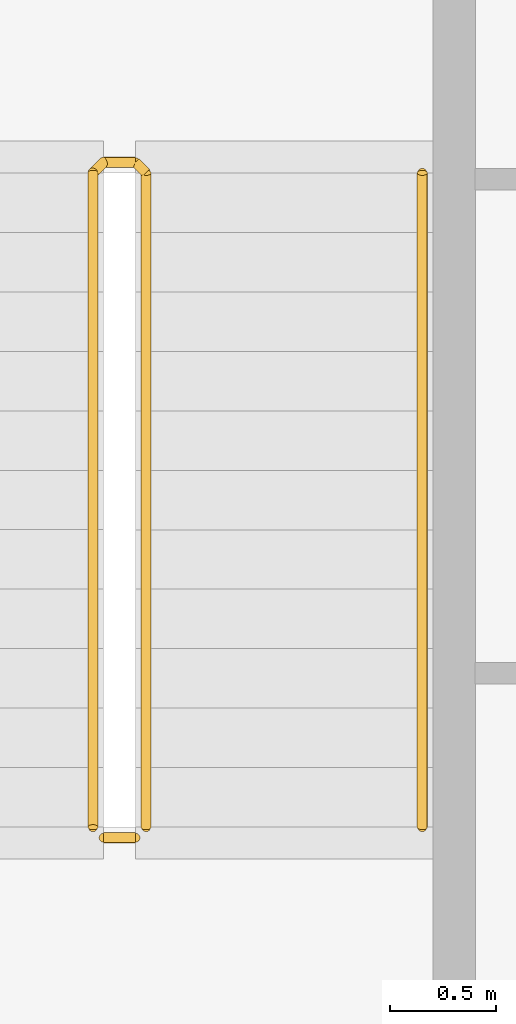
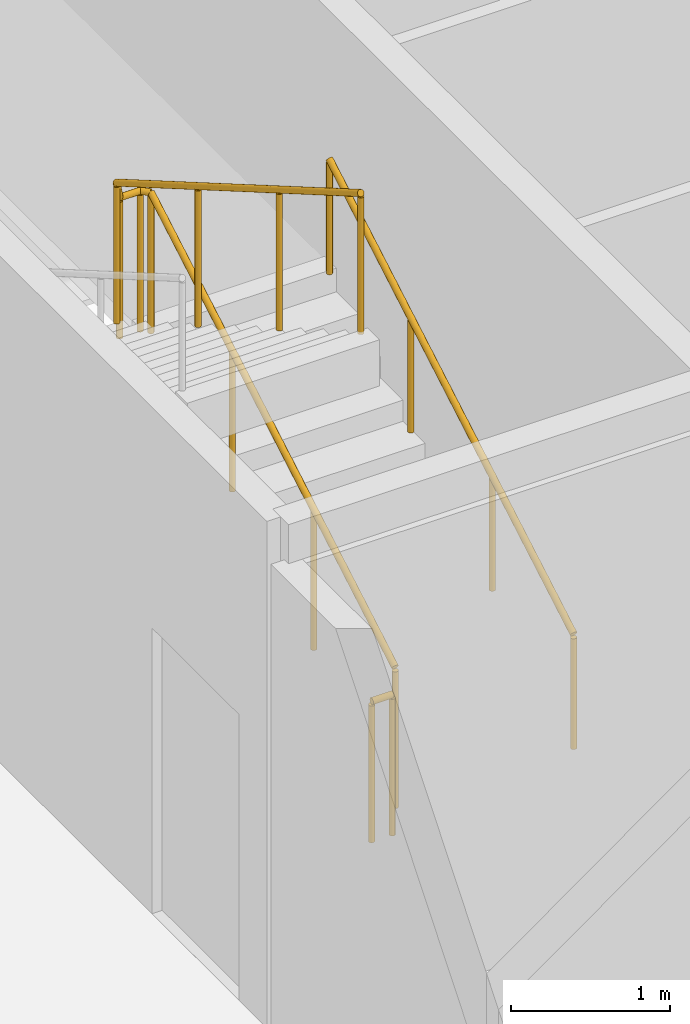
# One storey, part 27 of 28: 3 railings.
"""IFC4 building model written with IfcOpenShell, lengths in metres."""

from ifc_helpers import new_model, si_unit, direction, frame, origin, origin_2d, place, context, subcontext, project, spatial, circle, extrude, material, type_object, element, save


model = new_model("IFC4")

# Units and contexts
model_context = context("Model", 3, precision=1e-05, world=origin(), true_north=direction((0.0, 1.0)))
body_context = subcontext(model_context, "Body", "Model", "MODEL_VIEW")
ifc_project = project(units=[si_unit("LENGTHUNIT", "METRE"), si_unit("AREAUNIT", "SQUARE_METRE"), si_unit("VOLUMEUNIT", "CUBIC_METRE"), si_unit("PLANEANGLEUNIT", "RADIAN"), si_unit("MASSUNIT", "GRAM", prefix="KILO")], contexts=[model_context])

# Site, building, storey
site_placement = place(None, origin())
site = spatial("IfcSite", under=ifc_project, at=site_placement, CompositionType="ELEMENT")
building_placement = place(site_placement, origin())
building = spatial("IfcBuilding", under=site, at=building_placement, Name="Kheshtan School and Residences Tower", CompositionType="ELEMENT")
storey_placement = place(building_placement, frame((0.0, 0.0, 137.0)))
storey = spatial("IfcBuildingStorey", under=building, at=storey_placement, Name="L32", CompositionType="ELEMENT", Elevation=137.0)

# Railings
ifc_material_1 = material(Name="Stainless steel balustrade", Category="steel")
railing_type_1 = type_object("IfcRailingType", Name="Stair guard 1100", PredefinedType="GUARDRAIL", material=ifc_material_1)
railing_1_placement = place(storey_placement, frame((35.0, 80.89990234375, 0.16259765625)))
element("IfcRailing", 1, at=railing_1_placement, inside=storey, type_object=railing_type_1, Name="L32 ST3 stair guard 1", PredefinedType="GUARDRAIL", context=body_context, shape_type="SweptSolid", body=[
    extrude(circle(Radius=0.02392578125, at=origin_2d()), frame((0.0, 0.0, 1.076171875), z_axis=(0.0, 0.864920483161, 0.501908913857), x_axis=(-1.0, 0.0, 0.0)), (0.0, 0.0, 1.0), 3.56103515625),
    extrude(circle(Radius=0.02392578125, at=origin_2d()), frame((0.0, 3.080078125, 2.86328125), z_axis=(-0.707106781187, 0.707106781187, 0.0), x_axis=(-0.707106781187, -0.707106781187, 0.0)), (0.0, 0.0, 1.0), 0.07080078125),
    extrude(circle(Radius=0.02392578125, at=origin_2d()), frame((-0.050048828125, 3.130126953125, 2.86328125), z_axis=(-1.0, 0.0, 0.0), x_axis=(0.0, -1.0, 0.0)), (0.0, 0.0, 1.0), 0.14990234375),
    extrude(circle(Radius=0.02392578125, at=origin_2d()), frame((-0.199951171875, 3.130126953125, 2.86328125), z_axis=(-0.282227285176, -0.282227285176, 0.916894497205), x_axis=(0.707106781187, -0.707106781187, 0.0)), (0.0, 0.0, 1.0), 0.17724609375),
    extrude(circle(Radius=0.02392578125, at=origin_2d()), frame((-0.25, 3.080078125, 3.02587890625), z_axis=(0.0, -0.864920483161, 0.501908913857), x_axis=(1.0, 0.0, 0.0)), (0.0, 0.0, 1.0), 3.56103515625),
    extrude(circle(Radius=0.02099609375, at=origin_2d()), origin(), (0.0, 0.0, 1.0), 1.052001953125),
    extrude(circle(Radius=0.02099609375, at=origin_2d()), frame((0.0, 1.026611328125, 0.595703125)), (0.0, 0.0, 1.0), 1.052001953125),
    extrude(circle(Radius=0.02099609375, at=origin_2d()), frame((0.0, 2.053466796875, 1.191650390625)), (0.0, 0.0, 1.0), 1.052001953125),
    extrude(circle(Radius=0.02099609375, at=origin_2d()), frame((0.0, 3.080078125, 1.787353515625)), (0.0, 0.0, 1.0), 1.052001953125),
    extrude(circle(Radius=0.02099609375, at=origin_2d()), frame((-0.050048828125, 3.130126953125, 1.787353515625)), (0.0, 0.0, 1.0), 1.052001953125),
    extrude(circle(Radius=0.02099609375, at=origin_2d()), frame((-0.199951171875, 3.130126953125, 1.787353515625)), (0.0, 0.0, 1.0), 1.052001953125),
    extrude(circle(Radius=0.02099609375, at=origin_2d()), frame((-0.25, 3.080078125, 1.949951171875)), (0.0, 0.0, 1.0), 1.052001953125),
    extrude(circle(Radius=0.02099609375, at=origin_2d()), frame((-0.25, 2.053466796875, 2.545654296875)), (0.0, 0.0, 1.0), 1.052001953125),
    extrude(circle(Radius=0.02099609375, at=origin_2d()), frame((-0.25, 1.026611328125, 3.1416015625)), (0.0, 0.0, 1.0), 1.052001953125),
    extrude(circle(Radius=0.02099609375, at=origin_2d()), frame((-0.25, 0.0, 3.7373046875)), (0.0, 0.0, 1.0), 1.052001953125),
])
railing_2_placement = place(storey_placement, frame((34.949951171875, 80.85009765625, 0.0)))
element("IfcRailing", 2, at=railing_2_placement, inside=storey, type_object=railing_type_1, Name="L32 ST3 stair guard 2", PredefinedType="GUARDRAIL", context=body_context, shape_type="SweptSolid", body=[
    extrude(circle(Radius=0.02392578125, at=origin_2d()), frame((0.0, 0.0, 1.076171875), z_axis=(-1.0, 0.0, 0.0), x_axis=(0.0, -1.0, 0.0)), (0.0, 0.0, 1.0), 0.14990234375),
    extrude(circle(Radius=0.02099609375, at=origin_2d()), origin(), (0.0, 0.0, 1.0), 1.052001953125),
    extrude(circle(Radius=0.02099609375, at=origin_2d()), frame((-0.14990234375, 0.0, 0.0)), (0.0, 0.0, 1.0), 1.052001953125),
])
ifc_material_2 = material(Name="Stainless steel handrail", Category="steel")
railing_type_2 = type_object("IfcRailingType", Name="Stair handrail 900", PredefinedType="HANDRAIL", material=ifc_material_2)
railing_3_placement = place(storey_placement, frame((36.300048828125, 80.89990234375, 0.16259765625)))
element("IfcRailing", 3, at=railing_3_placement, inside=storey, type_object=railing_type_2, Name="L32 ST3 stair handrail 1", PredefinedType="HANDRAIL", context=body_context, shape_type="SweptSolid", body=[
    extrude(circle(Radius=0.02392578125, at=origin_2d()), frame((0.0, 0.0, 0.8759765625), z_axis=(0.0, 0.864920483161, 0.501908913857), x_axis=(-1.0, 0.0, 0.0)), (0.0, 0.0, 1.0), 3.56103515625),
    extrude(circle(Radius=0.02099609375, at=origin_2d()), origin(), (0.0, 0.0, 1.0), 0.851806640625),
    extrude(circle(Radius=0.02099609375, at=origin_2d()), frame((0.0, 1.026611328125, 0.595703125)), (0.0, 0.0, 1.0), 0.851806640625),
    extrude(circle(Radius=0.02099609375, at=origin_2d()), frame((0.0, 2.053466796875, 1.191650390625)), (0.0, 0.0, 1.0), 0.851806640625),
    extrude(circle(Radius=0.02099609375, at=origin_2d()), frame((0.0, 3.080078125, 1.787353515625)), (0.0, 0.0, 1.0), 0.851806640625),
])

save(model, "model.ifc")
